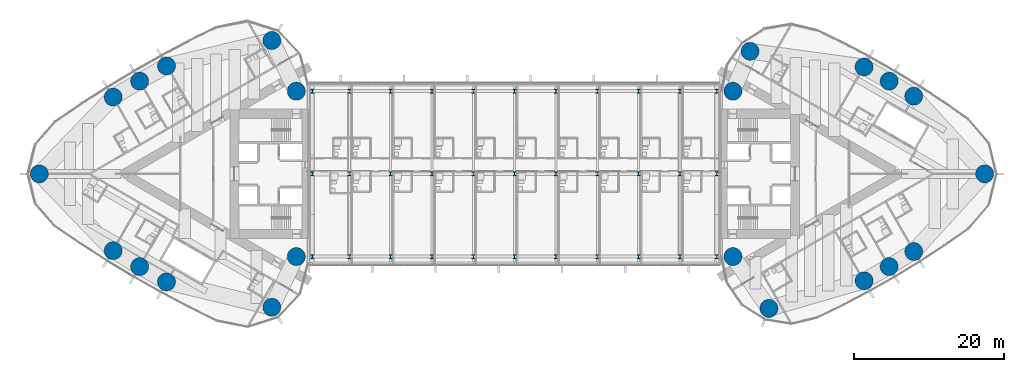
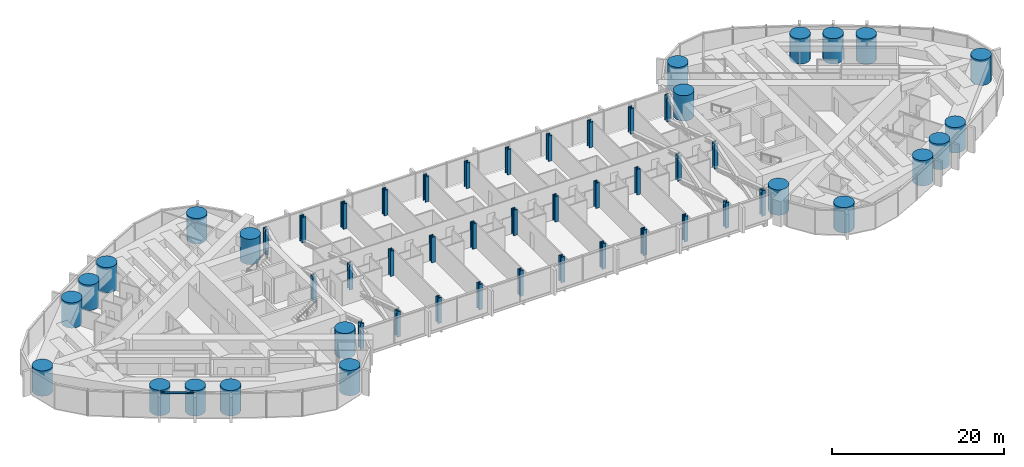
# One storey, part 1 of 23: 55 columns, 1 member, 1 element without a shape of its own.
"""IFC4 building model written with IfcOpenShell, lengths in metres."""

from ifc_helpers import new_model, si_unit, direction, frame, origin, origin_2d, place, context, subcontext, project, spatial, rectangle, circle, i_section, extrude, material, material_profile, profile_set, type_object, element, aggregate, save


model = new_model("IFC4")

# Units and contexts
model_context = context("Model", 3, precision=1e-05, world=origin(), true_north=direction((0.0, 1.0)))
body_context = subcontext(model_context, "Body", "Model", "MODEL_VIEW")
ifc_project = project(units=[si_unit("LENGTHUNIT", "METRE"), si_unit("AREAUNIT", "SQUARE_METRE"), si_unit("VOLUMEUNIT", "CUBIC_METRE"), si_unit("PLANEANGLEUNIT", "RADIAN"), si_unit("MASSUNIT", "GRAM", prefix="KILO")], contexts=[model_context])

# Site, building, storey
site_placement = place(None, origin())
site = spatial("IfcSite", under=ifc_project, at=site_placement, CompositionType="ELEMENT")
building_placement = place(site_placement, origin())
building = spatial("IfcBuilding", under=site, at=building_placement, Name="Lancet Gate Hotel", CompositionType="ELEMENT")
storey_placement = place(building_placement, frame((0.0, 0.0, 222.5)))
storey = spatial("IfcBuildingStorey", under=building, at=storey_placement, Name="L59", CompositionType="ELEMENT", Elevation=222.5)

# Columns
ifc_material_1 = material(Name="Steel S460", Category="steel")
ifc_material_profile_1 = material_profile(ifc_material_1, i_section(OverallWidth=0.47607421875, OverallDepth=0.60009765625, WebThickness=0.10009765625, FlangeThickness=0.139892578125, FilletRadius=0.02001953125, at=origin_2d()), Name="HD 400x1299")
ifc_profile_set_1 = profile_set([ifc_material_profile_1], Name="Steel S460")
column_type_1 = type_object("IfcColumnType", Name="Block column HD 400x1299", PredefinedType="COLUMN", material=ifc_profile_set_1)
for number, where, z_axis, x_axis, name in (
    (1, (-26.89990234375, -11.0, 0.0), (0.0, 0.0, 1.0), (1.0, 0.0, 0.0), "Block column S0 L59"),
    (2, (-22.0, -11.0, 0.0), (0.0, 0.0, 1.0), (1.0, 0.0, 0.0), "Block column S1 L59"),
    (3, (-16.5, -11.0, 0.0), (0.0, 0.0, 1.0), (1.0, 0.0, 0.0), "Block column S2 L59"),
    (4, (-11.0, -11.0, 0.0), (0.0, 0.0, 1.0), (1.0, 0.0, 0.0), "Block column S3 L59"),
    (5, (-5.5, -11.0, 0.0), (0.0, 0.0, 1.0), (1.0, 0.0, 0.0), "Block column S4 L59"),
    (6, (0.0, -11.0, 0.0), (0.0, 0.0, 1.0), (1.0, 0.0, 0.0), "Block column S5 L59"),
    (7, (5.5, -11.0, 0.0), (0.0, 0.0, 1.0), (1.0, 0.0, 0.0), "Block column S6 L59"),
    (8, (11.0, -11.0, 0.0), (0.0, 0.0, 1.0), (1.0, 0.0, 0.0), "Block column S7 L59"),
    (9, (16.5, -11.0, 0.0), (0.0, 0.0, 1.0), (1.0, 0.0, 0.0), "Block column S8 L59"),
    (10, (22.0, -11.0, 0.0), (0.0, 0.0, 1.0), (1.0, 0.0, 0.0), "Block column S9 L59"),
    (11, (26.89990234375, -11.0, 0.0), (0.0, 0.0, 1.0), (1.0, 0.0, 0.0), "Block column S10 L59"),
    (12, (-26.89990234375, 0.0, 0.0), (0.0, 0.0, 1.0), (1.0, 0.0, 0.0), "Block column M0 L59"),
    (13, (-22.0, 0.0, 0.0), (0.0, 0.0, 1.0), (1.0, 0.0, 0.0), "Block column M1 L59"),
    (14, (-16.5, 0.0, 0.0), (0.0, 0.0, 1.0), (1.0, 0.0, 0.0), "Block column M2 L59"),
    (15, (-11.0, 0.0, 0.0), (0.0, 0.0, 1.0), (1.0, 0.0, 0.0), "Block column M3 L59"),
    (16, (-5.5, 0.0, 0.0), (0.0, 0.0, 1.0), (1.0, 0.0, 0.0), "Block column M4 L59"),
    (17, (0.0, 0.0, 0.0), (0.0, 0.0, 1.0), (1.0, 0.0, 0.0), "Block column M5 L59"),
    (18, (5.5, 0.0, 0.0), (0.0, 0.0, 1.0), (1.0, 0.0, 0.0), "Block column M6 L59"),
    (19, (11.0, 0.0, 0.0), (0.0, 0.0, 1.0), (1.0, 0.0, 0.0), "Block column M7 L59"),
    (20, (16.5, 0.0, 0.0), (0.0, 0.0, 1.0), (1.0, 0.0, 0.0), "Block column M8 L59"),
    (21, (22.0, 0.0, 0.0), (0.0, 0.0, 1.0), (1.0, 0.0, 0.0), "Block column M9 L59"),
    (22, (26.89990234375, 0.0, 0.0), (0.0, 0.0, 1.0), (1.0, 0.0, 0.0), "Block column M10 L59"),
    (23, (-26.89990234375, 11.0, 0.0), (0.0, 0.0, 1.0), (1.0, 0.0, 0.0), "Block column N0 L59"),
    (24, (-22.0, 11.0, 0.0), (0.0, 0.0, 1.0), (1.0, 0.0, 0.0), "Block column N1 L59"),
    (25, (-16.5, 11.0, 0.0), (0.0, 0.0, 1.0), (1.0, 0.0, 0.0), "Block column N2 L59"),
    (26, (-11.0, 11.0, 0.0), (0.0, 0.0, 1.0), (1.0, 0.0, 0.0), "Block column N3 L59"),
    (27, (-5.5, 11.0, 0.0), (0.0, 0.0, 1.0), (1.0, 0.0, 0.0), "Block column N4 L59"),
    (28, (0.0, 11.0, 0.0), (0.0, 0.0, 1.0), (1.0, 0.0, 0.0), "Block column N5 L59"),
    (29, (5.5, 11.0, 0.0), (0.0, 0.0, 1.0), (1.0, 0.0, 0.0), "Block column N6 L59"),
    (30, (11.0, 11.0, 0.0), (0.0, 0.0, 1.0), (1.0, 0.0, 0.0), "Block column N7 L59"),
    (31, (16.5, 11.0, 0.0), (0.0, 0.0, 1.0), (1.0, 0.0, 0.0), "Block column N8 L59"),
    (32, (22.0, 11.0, 0.0), (0.0, 0.0, 1.0), (1.0, 0.0, 0.0), "Block column N9 L59"),
    (33, (26.89990234375, 11.0, 0.0), (0.0, 0.0, 1.0), (1.0, 0.0, 0.0), "Block column N10 L59"),
):
    element("IfcColumn", number, at=place(storey_placement, frame(where, z_axis=z_axis, x_axis=x_axis)), inside=storey, type_object=column_type_1, Name=name, PredefinedType="COLUMN", context=body_context, shape_type="SweptSolid", body=[
        extrude(i_section(OverallWidth=0.47607421875, OverallDepth=0.60009765625, WebThickness=0.10009765625, FlangeThickness=0.139892578125, FilletRadius=0.02001953125, at=origin_2d()), origin(), (0.0, 0.0, 1.0), 3.60009765625),
    ])
ifc_material_2 = material(Name="Concrete C50/60", Category="concrete")
ifc_material_profile_2 = material_profile(ifc_material_2, circle(Radius=1.199951171875, at=origin_2d()), Name="RC D2400")
ifc_profile_set_2 = profile_set([ifc_material_profile_2], Name="Concrete C50/60")
column_type_2 = type_object("IfcColumnType", Name="Perimeter column RC D2400", PredefinedType="COLUMN", material=ifc_profile_set_2)
for number, where, z_axis, x_axis, name in (
    (34, (-63.234375, 0.0, 0.0), (0.0, 0.0, 1.0), (1.0, 0.0, 0.0), "T1 column CA L59"),
    (35, (-32.301025390625, -17.745361328125, 0.0), (0.0, 0.0, 1.0), (1.0, 0.0, 0.0), "T1 column CN L59"),
    (36, (-32.301025390625, 17.745361328125, 0.0), (0.0, 0.0, 1.0), (1.0, 0.0, 0.0), "T1 column CS L59"),
    (37, (-29.050048828125, -11.0, 0.0), (0.0, 0.0, 1.0), (1.0, 0.0, 0.0), "T1 column IN L59"),
    (38, (-29.050048828125, 11.0, 0.0), (0.0, 0.0, 1.0), (1.0, 0.0, 0.0), "T1 column IS L59"),
    (39, (-53.40771484375, -10.218994140625, 0.0), (0.0, 0.0, 1.0), (1.0, 0.0, 0.0), "T1 column ON1 L59"),
    (40, (-49.89013671875, -12.340087890625, 0.0), (0.0, 0.0, 1.0), (1.0, 0.0, 0.0), "T1 column ON2 L59"),
    (41, (-46.316650390625, -14.365478515625, 0.0), (0.0, 0.0, 1.0), (1.0, 0.0, 0.0), "T1 column ON3 L59"),
    (42, (-46.316650390625, 14.365478515625, 0.0), (0.0, 0.0, 1.0), (1.0, 0.0, 0.0), "T1 column OS1 L59"),
    (43, (-49.89013671875, 12.340087890625, 0.0), (0.0, 0.0, 1.0), (1.0, 0.0, 0.0), "T1 column OS2 L59"),
    (44, (-53.40771484375, 10.218994140625, 0.0), (0.0, 0.0, 1.0), (1.0, 0.0, 0.0), "T1 column OS3 L59"),
    (45, (62.54150390625, 0.0, 0.0), (0.0, 0.0, 1.0), (1.0, 0.0, 0.0), "T2 column CA L59"),
    (46, (31.328369140625, 16.310791015625, 0.0), (0.0, 0.0, 1.0), (1.0, 0.0, 0.0), "T2 column CN L59"),
    (47, (33.837158203125, -17.906005859375, 0.0), (0.0, 0.0, 1.0), (1.0, 0.0, 0.0), "T2 column CS L59"),
    (48, (29.050048828125, 11.0, 0.0), (0.0, 0.0, 1.0), (1.0, 0.0, 0.0), "T2 column IN L59"),
    (49, (29.050048828125, -11.0, 0.0), (0.0, 0.0, 1.0), (1.0, 0.0, 0.0), "T2 column IS L59"),
    (50, (53.107666015625, 10.333984375, 0.0), (0.0, 0.0, 1.0), (1.0, 0.0, 0.0), "T2 column ON1 L59"),
    (51, (49.833984375, 12.331787109375, 0.0), (0.0, 0.0, 1.0), (1.0, 0.0, 0.0), "T2 column ON2 L59"),
    (52, (46.499267578125, 14.2255859375, 0.0), (0.0, 0.0, 1.0), (1.0, 0.0, 0.0), "T2 column ON3 L59"),
    (53, (46.499267578125, -14.2255859375, 0.0), (0.0, 0.0, 1.0), (1.0, 0.0, 0.0), "T2 column OS1 L59"),
    (54, (49.833984375, -12.331787109375, 0.0), (0.0, 0.0, 1.0), (1.0, 0.0, 0.0), "T2 column OS2 L59"),
    (55, (53.107666015625, -10.333984375, 0.0), (0.0, 0.0, 1.0), (1.0, 0.0, 0.0), "T2 column OS3 L59"),
):
    element("IfcColumn", number, at=place(storey_placement, frame(where, z_axis=z_axis, x_axis=x_axis)), inside=storey, type_object=column_type_2, Name=name, PredefinedType="COLUMN", context=body_context, shape_type="SweptSolid", body=[
        extrude(circle(Radius=1.199951171875, at=origin_2d()), origin(), (0.0, 0.0, 1.0), 3.60009765625),
    ])

# Curtain wall, member
ifc_material_3 = material(Name="Aluminium curtain wall", Category="aluminium")
curtain_wall_type = type_object("IfcCurtainWallType", Name="Tower unitised curtain wall", PredefinedType="USERDEFINED", material=ifc_material_3)
curtain_wall_placement = place(storey_placement, origin())
curtain_wall = element("IfcCurtainWall", 56, at=curtain_wall_placement, inside=storey, type_object=curtain_wall_type, Name="T1 L59 curtain wall 1", ObjectType="UNITISED CURTAIN WALL", PredefinedType="USERDEFINED")
ifc_material_4 = material(Name="Aluminium transom", Category="aluminium")
ifc_material_profile_3 = material_profile(ifc_material_4, rectangle(XDim=0.25, YDim=0.14990234375, at=origin_2d()), Name="TRANSOM 250x150")
ifc_profile_set_3 = profile_set([ifc_material_profile_3], Name="Aluminium transom")
member_type = type_object("IfcMemberType", Name="Aluminium transom 250x150", PredefinedType="USERDEFINED", material=ifc_profile_set_3)
member_placement = place(storey_placement, frame((-54.197998046875, -11.55224609375, 3.52490234375), z_axis=(0.856362214892, -0.516375596737, 0.0), x_axis=(0.516375596737, 0.856362214892, 0.0)))
member = element("IfcMember", 57, at=member_placement, type_object=member_type, Name="T1 L59 curtain wall 1 transom 17", ObjectType="TRANSOM", PredefinedType="USERDEFINED", context=body_context, shape_type="SweptSolid", body=[
    extrude(rectangle(XDim=0.25, YDim=0.14990234375, at=origin_2d()), origin(), (0.0, 0.0, 1.0), 4.08447265625),
])
aggregate(curtain_wall, [member])

save(model, "model.ifc")
